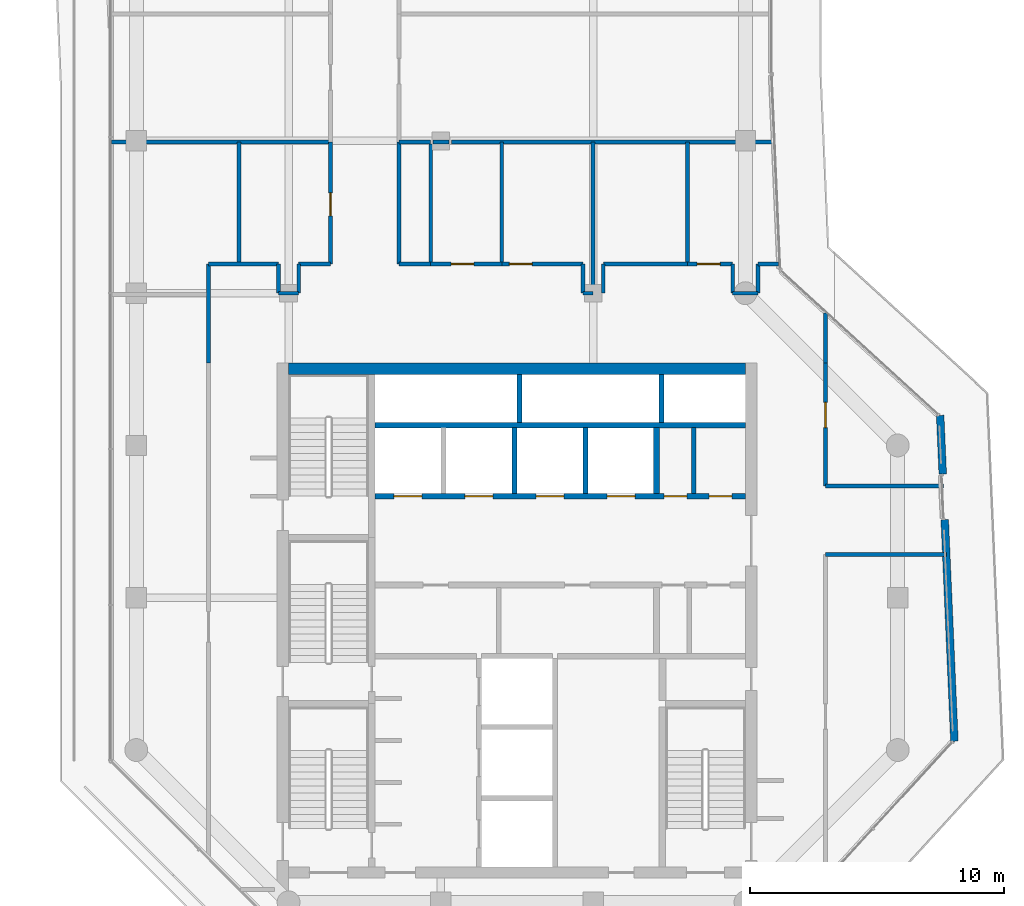
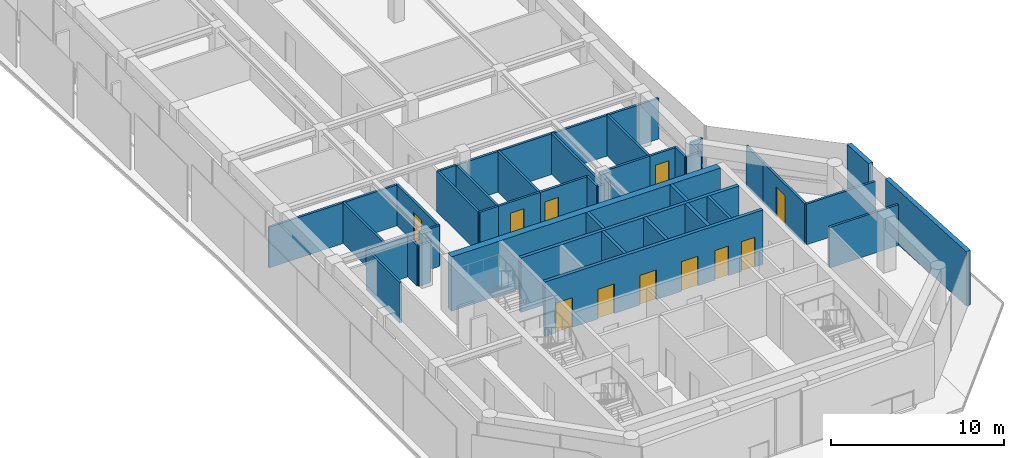
# One storey, part 18 of 21: 44 walls, 11 doors, 11 openings.
"""IFC4 building model written with IfcOpenShell, lengths in metres."""

import ifcopenshell
import ifcopenshell.guid

model = None  # the IFC model being written
_history = None  # IfcOwnerHistory: only IFC2X3 demands one
_inside = {}  # id of a spatial element -> (the spatial element, [elements in it])
_under = {}  # id of a project, library or spatial element -> (it, [spatial elements below it])
_declared = {}  # id of a project -> (the project, [libraries it declares])
_typed = {}  # id of a type object -> (the type object, [elements of that type])
_made_of = {}  # id of a material, layer set ... -> (it, [elements and type objects made of it])


def new_model(schema):
    """Start an empty IFC model of exactly this schema.

    Asked for "IFC4X3", IfcOpenShell would pick the latest addendum, in which some entities
    have other attributes; the version numbers below select the first issue.
    IFC2X3 requires an IfcOwnerHistory on every rooted entity: one is made here for all.
    """
    global model, _history
    if schema == "IFC4X3":
        model = ifcopenshell.file(schema_version=(4, 3, 0, 0))
    else:
        model = ifcopenshell.file(schema=schema)
    _inside.clear()
    _under.clear()
    _declared.clear()
    _typed.clear()
    _made_of.clear()
    _history = None
    if model.schema == "IFC2X3":
        org = make("IfcOrganization", Name="unknown")
        user = make(
            "IfcPersonAndOrganization",
            ThePerson=make("IfcPerson", FamilyName="unknown"),
            TheOrganization=org,
        )
        app = make(
            "IfcApplication",
            ApplicationDeveloper=org,
            Version="unknown",
            ApplicationFullName="unknown",
            ApplicationIdentifier="unknown",
        )
        _history = make(
            "IfcOwnerHistory",
            OwningUser=user,
            OwningApplication=app,
            ChangeAction="ADDED",
            CreationDate=0,
        )
    return model


def make(cls, **values):
    """One entity of the class cls with the attributes given. An attribute that is None is left unset."""
    return model.create_entity(
        cls, **{name: value for name, value in values.items() if value is not None}
    )


def rooted(cls, **values):
    """An entity with a GlobalId (a new one), such as an element, a storey or a relation."""
    return make(cls, GlobalId=ifcopenshell.guid.new(), OwnerHistory=_history, **values)


def si_unit(unit_type, name, prefix=None):
    """IfcSIUnit, for example si_unit("LENGTHUNIT", "METRE", prefix="MILLI")."""
    return make("IfcSIUnit", UnitType=unit_type, Prefix=prefix, Name=name)


def assignment(units):
    """IfcUnitAssignment: the units of a project."""
    return None if units is None else make("IfcUnitAssignment", Units=units)


def point(xyz):
    """IfcCartesianPoint."""
    return None if xyz is None else make("IfcCartesianPoint", Coordinates=xyz)


def direction(xyz):
    """IfcDirection."""
    return None if xyz is None else make("IfcDirection", DirectionRatios=xyz)


def frame(location, z_axis=None, x_axis=None):
    """IfcAxis2Placement3D, a coordinate frame: its origin and axes. An axis left out is left unset."""
    return make(
        "IfcAxis2Placement3D",
        Location=point(location),
        Axis=direction(z_axis),
        RefDirection=direction(x_axis),
    )


def frame_2d(location, x_axis=None):
    """IfcAxis2Placement2D, a coordinate frame in the plane: its origin and x axis."""
    return make(
        "IfcAxis2Placement2D", Location=point(location), RefDirection=direction(x_axis)
    )


def origin():
    """The frame at (0, 0, 0) with its axes left unset."""
    return frame((0.0, 0.0, 0.0))


def place(relative_to, where):
    """IfcLocalPlacement: puts the frame where relative to a parent placement (None: the world)."""
    return make(
        "IfcLocalPlacement", PlacementRelTo=relative_to, RelativePlacement=where
    )


def context(
    kind, dimensions, precision=None, world=None, true_north=None, identifier=None
):
    """IfcGeometricRepresentationContext, for example the 3D "Model" context."""
    return make(
        "IfcGeometricRepresentationContext",
        ContextIdentifier=identifier,
        ContextType=kind,
        CoordinateSpaceDimension=dimensions,
        Precision=precision,
        WorldCoordinateSystem=world,
        TrueNorth=true_north,
    )


def subcontext(parent, identifier, kind, view, scale=None):
    """IfcGeometricRepresentationSubContext, for example "Body" below "Model"."""
    return make(
        "IfcGeometricRepresentationSubContext",
        ContextIdentifier=identifier,
        ContextType=kind,
        ParentContext=parent,
        TargetScale=scale,
        TargetView=view,
    )


def project(units=None, contexts=None):
    """IfcProject with its units and contexts."""
    return rooted(
        "IfcProject",
        Name="project",
        RepresentationContexts=contexts,
        UnitsInContext=assignment(units),
    )


def spatial(cls, under=None, at=None, **own):
    """A site, building, storey or space (cls), placed at a placement, below another one or the project."""
    s = rooted(cls, ObjectPlacement=at, **own)
    if under is not None:
        _under.setdefault(under.id(), (under, []))[1].append(s)
    return s


def profile(cls, at=None, kind="AREA", **sizes):
    """A parametric profile (cls). Its sizes go by their IFC names, for example OverallWidth=200.0."""
    return make(cls, ProfileType=kind, Position=at, **sizes)


def rectangle(**sizes):
    """IfcRectangleProfileDef."""
    return profile("IfcRectangleProfileDef", **sizes)


def extrude(swept, where, along, depth):
    """IfcExtrudedAreaSolid: the profile swept, set in the frame where, extruded along a direction by depth."""
    return make(
        "IfcExtrudedAreaSolid",
        SweptArea=swept,
        Position=where,
        ExtrudedDirection=direction(along),
        Depth=depth,
    )


def shape(context_of_items, identifier, shape_type, items):
    """IfcShapeRepresentation: the items that make up one representation, for example the "Body"."""
    return make(
        "IfcShapeRepresentation",
        ContextOfItems=context_of_items,
        RepresentationIdentifier=identifier,
        RepresentationType=shape_type,
        Items=items,
    )


def material(Name=None, Category=None):
    """IfcMaterial."""
    return make("IfcMaterial", Name=Name, Category=Category)


def layer(
    of_material, thickness, ventilated=None, Name=None, Category=None, Priority=None
):
    """IfcMaterialLayer: one layer of a wall or slab, of a material (None: an air gap)."""
    return make(
        "IfcMaterialLayer",
        Material=of_material,
        LayerThickness=thickness,
        IsVentilated=ventilated,
        Name=Name,
        Category=Category,
        Priority=Priority,
    )


def layer_set(layers, Name=None):
    """IfcMaterialLayerSet."""
    return make("IfcMaterialLayerSet", MaterialLayers=layers, LayerSetName=Name)


def made_of(thing, what):
    """Note that an element or type object is made of a material, layer set ...; save() writes the relation."""
    if what is not None:
        _made_of.setdefault(what.id(), (what, []))[1].append(thing)
    return thing


def type_object(cls, material=None, **own):
    """A type object (cls), such as IfcWallType, which elements share."""
    return made_of(rooted(cls, **own), material)


def element(
    cls,
    number,
    at=None,
    inside=None,
    cuts=None,
    type_object=None,
    material=None,
    context=None,
    identifier="Body",
    shape_type=None,
    held_by="IfcProductDefinitionShape",
    body=None,
    shapes=None,
    **own,
):
    """One element of the class cls, such as IfcWall. Its Tag is "e" and its number.

    at: its placement. inside: the storey or other place that contains it. cuts: it is an
    opening in that element (IfcRelVoidsElement). A single representation is given by context,
    identifier, shape_type and body (its items); several are given by shapes. held_by: the class
    of the entity that holds the representations. save() writes the other relations.
    """
    e = rooted(cls, Tag="e%d" % number, ObjectPlacement=at, **own)
    if body is not None:
        shapes = [shape(context, identifier, shape_type, body)]
    if shapes is not None:
        e.Representation = make(held_by, Representations=shapes)
    if inside is not None:
        _inside.setdefault(inside.id(), (inside, []))[1].append(e)
    if cuts is not None:
        rooted(
            "IfcRelVoidsElement", RelatingBuildingElement=cuts, RelatedOpeningElement=e
        )
    if type_object is not None:
        _typed.setdefault(type_object.id(), (type_object, []))[1].append(e)
    return made_of(e, material)


def fill(opening, filler):
    """IfcRelFillsElement: the door or window that sits in an opening."""
    return rooted(
        "IfcRelFillsElement",
        RelatingOpeningElement=opening,
        RelatedBuildingElement=filler,
    )


def aggregate(whole, parts):
    """IfcRelAggregates: a whole, such as a stair, and the parts it consists of."""
    return rooted("IfcRelAggregates", RelatingObject=whole, RelatedObjects=parts)


def save(model, path):
    """Write the relations noted so far, then the file.

    IfcRelAggregates (storeys below a building ...), IfcRelContainedInSpatialStructure (elements
    in a storey), IfcRelDefinesByType, IfcRelAssociatesMaterial and IfcRelDeclares: one each for
    every whole, place, type object, material and project.
    """
    for whole, parts in _under.values():
        aggregate(whole, parts)
    for where, things in _inside.values():
        rooted(
            "IfcRelContainedInSpatialStructure",
            RelatedElements=things,
            RelatingStructure=where,
        )
    for kind, things in _typed.values():
        rooted("IfcRelDefinesByType", RelatedObjects=things, RelatingType=kind)
    for what, things in _made_of.values():
        rooted("IfcRelAssociatesMaterial", RelatedObjects=things, RelatingMaterial=what)
    for by, libraries in _declared.values():
        rooted("IfcRelDeclares", RelatingContext=by, RelatedDefinitions=libraries)
    model.write(path)


model = new_model("IFC4")

# Units and contexts
model_context = context("Model", 3, precision=1e-05, world=origin(), true_north=direction((0.0, 1.0)))
body_context = subcontext(model_context, "Body", "Model", "MODEL_VIEW")
ifc_project = project(units=[si_unit("LENGTHUNIT", "METRE"), si_unit("AREAUNIT", "SQUARE_METRE"), si_unit("VOLUMEUNIT", "CUBIC_METRE"), si_unit("PLANEANGLEUNIT", "RADIAN"), si_unit("MASSUNIT", "GRAM", prefix="KILO")], contexts=[model_context])

# Site, building, storey
site_placement = place(None, origin())
site = spatial("IfcSite", under=ifc_project, at=site_placement, CompositionType="ELEMENT")
building_placement = place(site_placement, origin())
building = spatial("IfcBuilding", under=site, at=building_placement, Name="Welwitschia Terrace Campus", CompositionType="ELEMENT")
storey_placement = place(building_placement, frame((0.0, 0.0, 218.0)))
storey = spatial("IfcBuildingStorey", under=building, at=storey_placement, Name="L48", CompositionType="ELEMENT", Elevation=218.0)

# Wall
ifc_material_1 = material(Name="Concrete C32/40", Category="concrete")
ifc_layer_1 = layer(ifc_material_1, 0.175048828125)
ifc_layer_set_1 = layer_set([ifc_layer_1], Name="Concrete C32/40")
wall_type_1 = type_object("IfcWallType", Name="Core partition 175 Concrete C32/40", PredefinedType="PARTITIONING", material=ifc_layer_set_1)
wall_1_placement = place(storey_placement, frame((21.9599609375, 20.10009765625, 0.0), z_axis=(0.0, 0.0, 1.0), x_axis=(0.0, 1.0, 0.0)))
element("IfcWall", 1, at=wall_1_placement, inside=storey, type_object=wall_type_1, Name="Core partition", PredefinedType="PARTITIONING", context=body_context, shape_type="SweptSolid", body=[
    extrude(rectangle(XDim=2.599853515625, YDim=0.175048828125, at=frame_2d((1.2998046875, 0.0))), origin(), (0.0, 0.0, 1.0), 3.85009765625),
])

# Wall, openings, doors
ifc_material_2 = material(Name="Concrete C32/40", Category="concrete")
ifc_layer_2 = layer(ifc_material_2, 0.22509765625)
ifc_layer_set_2 = layer_set([ifc_layer_2], Name="Concrete C32/40")
wall_type_2 = type_object("IfcWallType", Name="Core partition 225 Concrete C32/40", PredefinedType="PARTITIONING", material=ifc_layer_set_2)
wall_2_placement = place(storey_placement, frame((24.0, 20.0, 0.0), z_axis=(0.0, 0.0, 1.0), x_axis=(-1.0, 0.0, 0.0)))
wall_2 = element("IfcWall", 2, at=wall_2_placement, inside=storey, type_object=wall_type_2, Name="Shaft wall", PredefinedType="PARTITIONING", context=body_context, shape_type="SweptSolid", body=[
    extrude(rectangle(XDim=14.60009765625, YDim=0.22509765625, at=frame_2d((7.300048828125, 0.0))), origin(), (0.0, 0.0, 1.0), 3.85009765625),
])
opening_1_placement = place(wall_2_placement, frame((12.75, 0.0, 0.0)))
opening_1 = element("IfcOpeningElement", 3, at=opening_1_placement, cuts=wall_2, Name="Opening LD", PredefinedType="OPENING", context=body_context, shape_type="SweptSolid", body=[
    extrude(rectangle(XDim=1.10009765625, YDim=2.10009765625, at=frame_2d((0.550048828125, 1.050048828125))), frame((0.0, 0.12255859375, 0.0), z_axis=(0.0, -1.0, 0.0), x_axis=(1.0, 0.0, 0.0)), (0.0, 0.0, 1.0), 0.2451171875),
])
opening_2_placement = place(wall_2_placement, frame((9.949951171875, 0.0, 0.0)))
opening_2 = element("IfcOpeningElement", 4, at=opening_2_placement, cuts=wall_2, Name="Opening LD", PredefinedType="OPENING", context=body_context, shape_type="SweptSolid", body=[
    extrude(rectangle(XDim=1.10009765625, YDim=2.10009765625, at=frame_2d((0.550048828125, 1.050048828125))), frame((0.0, 0.12255859375, 0.0), z_axis=(0.0, -1.0, 0.0), x_axis=(1.0, 0.0, 0.0)), (0.0, 0.0, 1.0), 0.2451171875),
])
opening_3_placement = place(wall_2_placement, frame((7.14990234375, 0.0, 0.0)))
opening_3 = element("IfcOpeningElement", 5, at=opening_3_placement, cuts=wall_2, Name="Opening LD", PredefinedType="OPENING", context=body_context, shape_type="SweptSolid", body=[
    extrude(rectangle(XDim=1.10009765625, YDim=2.10009765625, at=frame_2d((0.550048828125, 1.050048828125))), frame((0.0, 0.12255859375, 0.0), z_axis=(0.0, -1.0, 0.0), x_axis=(1.0, 0.0, 0.0)), (0.0, 0.0, 1.0), 0.2451171875),
])
opening_4_placement = place(wall_2_placement, frame((4.35009765625, 0.0, 0.0)))
opening_4 = element("IfcOpeningElement", 6, at=opening_4_placement, cuts=wall_2, Name="Opening LD", PredefinedType="OPENING", context=body_context, shape_type="SweptSolid", body=[
    extrude(rectangle(XDim=1.10009765625, YDim=2.10009765625, at=frame_2d((0.550048828125, 1.050048828125))), frame((0.0, 0.12255859375, 0.0), z_axis=(0.0, -1.0, 0.0), x_axis=(1.0, 0.0, 0.0)), (0.0, 0.0, 1.0), 0.2451171875),
])
opening_5_placement = place(wall_2_placement, frame((2.3076171875, 0.0, 0.0)))
opening_5 = element("IfcOpeningElement", 7, at=opening_5_placement, cuts=wall_2, Name="Opening DR09", PredefinedType="OPENING", context=body_context, shape_type="SweptSolid", body=[
    extrude(rectangle(XDim=0.89990234375, YDim=2.10009765625, at=frame_2d((0.449951171875, 1.050048828125))), frame((0.0, 0.12255859375, 0.0), z_axis=(0.0, -1.0, 0.0), x_axis=(1.0, 0.0, 0.0)), (0.0, 0.0, 1.0), 0.2451171875),
])
opening_6_placement = place(wall_2_placement, frame((0.532470703125, 0.0, 0.0)))
opening_6 = element("IfcOpeningElement", 8, at=opening_6_placement, cuts=wall_2, Name="Opening DR09", PredefinedType="OPENING", context=body_context, shape_type="SweptSolid", body=[
    extrude(rectangle(XDim=0.89990234375, YDim=2.10009765625, at=frame_2d((0.449951171875, 1.050048828125))), frame((0.0, 0.12255859375, 0.0), z_axis=(0.0, -1.0, 0.0), x_axis=(1.0, 0.0, 0.0)), (0.0, 0.0, 1.0), 0.2451171875),
])
ifc_material_3 = material(Name="Steel S275", Category="steel")
door_type_1 = type_object("IfcDoorType", Name="Core door DR09", OperationType="SINGLE_SWING_LEFT", PredefinedType="DOOR", material=ifc_material_3)
door_1_placement = place(opening_5_placement, origin())
door_1 = element("IfcDoor", 9, at=door_1_placement, inside=storey, type_object=door_type_1, Name="Door EH1-D", OperationType="SINGLE_SWING_LEFT", OverallHeight=2.10009765625, OverallWidth=0.89990234375, PredefinedType="DOOR", context=body_context, shape_type="SweptSolid", body=[
    extrude(rectangle(XDim=0.89990234375, YDim=2.10009765625, at=frame_2d((0.449951171875, 1.050048828125))), frame((0.0, 0.02490234375, 0.0), z_axis=(0.0, -1.0, 0.0), x_axis=(1.0, 0.0, 0.0)), (0.0, 0.0, 1.0), 0.050048828125),
])
fill(opening_5, door_1)
door_2_placement = place(opening_6_placement, origin())
door_2 = element("IfcDoor", 10, at=door_2_placement, inside=storey, type_object=door_type_1, Name="Door EH2-D", OperationType="SINGLE_SWING_LEFT", OverallHeight=2.10009765625, OverallWidth=0.89990234375, PredefinedType="DOOR", context=body_context, shape_type="SweptSolid", body=[
    extrude(rectangle(XDim=0.89990234375, YDim=2.10009765625, at=frame_2d((0.449951171875, 1.050048828125))), frame((0.0, 0.02490234375, 0.0), z_axis=(0.0, -1.0, 0.0), x_axis=(1.0, 0.0, 0.0)), (0.0, 0.0, 1.0), 0.050048828125),
])
fill(opening_6, door_2)
ifc_material_4 = material(Name="Stainless steel 304", Category="steel")
door_type_2 = type_object("IfcDoorType", Name="Lift landing door", OperationType="DOUBLE_DOOR_SLIDING", PredefinedType="DOOR", material=ifc_material_4)
door_3_placement = place(opening_1_placement, origin())
door_3 = element("IfcDoor", 11, at=door_3_placement, inside=storey, type_object=door_type_2, Name="Landing door HR1", OperationType="DOUBLE_DOOR_SLIDING", OverallHeight=2.10009765625, OverallWidth=1.10009765625, PredefinedType="DOOR", context=body_context, shape_type="SweptSolid", body=[
    extrude(rectangle(XDim=1.10009765625, YDim=2.10009765625, at=frame_2d((0.550048828125, 1.050048828125))), frame((0.0, 0.02490234375, 0.0), z_axis=(0.0, -1.0, 0.0), x_axis=(1.0, 0.0, 0.0)), (0.0, 0.0, 1.0), 0.050048828125),
])
fill(opening_1, door_3)
door_4_placement = place(opening_2_placement, origin())
door_4 = element("IfcDoor", 12, at=door_4_placement, inside=storey, type_object=door_type_2, Name="Landing door HR2", OperationType="DOUBLE_DOOR_SLIDING", OverallHeight=2.10009765625, OverallWidth=1.10009765625, PredefinedType="DOOR", context=body_context, shape_type="SweptSolid", body=[
    extrude(rectangle(XDim=1.10009765625, YDim=2.10009765625, at=frame_2d((0.550048828125, 1.050048828125))), frame((0.0, 0.02490234375, 0.0), z_axis=(0.0, -1.0, 0.0), x_axis=(1.0, 0.0, 0.0)), (0.0, 0.0, 1.0), 0.050048828125),
])
fill(opening_2, door_4)
door_5_placement = place(opening_3_placement, origin())
door_5 = element("IfcDoor", 13, at=door_5_placement, inside=storey, type_object=door_type_2, Name="Landing door HR3", OperationType="DOUBLE_DOOR_SLIDING", OverallHeight=2.10009765625, OverallWidth=1.10009765625, PredefinedType="DOOR", context=body_context, shape_type="SweptSolid", body=[
    extrude(rectangle(XDim=1.10009765625, YDim=2.10009765625, at=frame_2d((0.550048828125, 1.050048828125))), frame((0.0, 0.02490234375, 0.0), z_axis=(0.0, -1.0, 0.0), x_axis=(1.0, 0.0, 0.0)), (0.0, 0.0, 1.0), 0.050048828125),
])
fill(opening_3, door_5)
door_6_placement = place(opening_4_placement, origin())
door_6 = element("IfcDoor", 14, at=door_6_placement, inside=storey, type_object=door_type_2, Name="Landing door HR4", OperationType="DOUBLE_DOOR_SLIDING", OverallHeight=2.10009765625, OverallWidth=1.10009765625, PredefinedType="DOOR", context=body_context, shape_type="SweptSolid", body=[
    extrude(rectangle(XDim=1.10009765625, YDim=2.10009765625, at=frame_2d((0.550048828125, 1.050048828125))), frame((0.0, 0.02490234375, 0.0), z_axis=(0.0, -1.0, 0.0), x_axis=(1.0, 0.0, 0.0)), (0.0, 0.0, 1.0), 0.050048828125),
])
fill(opening_4, door_6)

# Walls
wall_3_placement = place(storey_placement, frame((9.39990234375, 22.800048828125, 0.0), z_axis=(0.0, 0.0, 1.0), x_axis=(1.0, 0.0, 0.0)))
element("IfcWall", 15, at=wall_3_placement, inside=storey, type_object=wall_type_2, Name="Shaft wall", PredefinedType="PARTITIONING", context=body_context, shape_type="SweptSolid", body=[
    extrude(rectangle(XDim=14.60009765625, YDim=0.22509765625, at=frame_2d((7.300048828125, 0.0))), origin(), (0.0, 0.0, 1.0), 3.85009765625),
])
wall_4_placement = place(storey_placement, frame((20.5, 20.10009765625, 0.0), z_axis=(0.0, 0.0, 1.0), x_axis=(0.0, 1.0, 0.0)))
element("IfcWall", 16, at=wall_4_placement, inside=storey, type_object=wall_type_2, Name="Shaft wall", PredefinedType="PARTITIONING", context=body_context, shape_type="SweptSolid", body=[
    extrude(rectangle(XDim=2.599853515625, YDim=0.22509765625, at=frame_2d((1.2998046875, 0.0))), origin(), (0.0, 0.0, 1.0), 3.85009765625),
])
ifc_material_5 = material(Name="Concrete C50/60", Category="concrete")
ifc_layer_3 = layer(ifc_material_5, 0.199951171875)
ifc_layer_set_3 = layer_set([ifc_layer_3], Name="Concrete C50/60")
wall_type_3 = type_object("IfcWallType", Name="Core wall 200 Concrete C50/60", PredefinedType="SHEAR", material=ifc_layer_set_3)
for number, where, z_axis, x_axis, name in (
    (17, (15.10009765625, 22.89990234375, 0.0), (0.0, 0.0, 1.0), (0.0, 1.0, 0.0), "Core wall"),
    (18, (20.699951171875, 22.89990234375, 0.0), (0.0, 0.0, 1.0), (0.0, 1.0, 0.0), "Core wall"),
):
    element("IfcWall", number, at=place(storey_placement, frame(where, z_axis=z_axis, x_axis=x_axis)), inside=storey, type_object=wall_type_3, Name=name, PredefinedType="SHEAR", context=body_context, shape_type="SweptSolid", body=[
        extrude(rectangle(XDim=1.900146484375, YDim=0.199951171875, at=frame_2d((0.9501953125, 0.0))), origin(), (0.0, 0.0, 1.0), 3.85009765625),
    ])
ifc_material_6 = material(Name="Concrete C60/75", Category="concrete")
ifc_layer_4 = layer(ifc_material_6, 0.449951171875)
ifc_layer_set_4 = layer_set([ifc_layer_4], Name="Concrete C60/75")
wall_type_4 = type_object("IfcWallType", Name="Core wall 450 Concrete C60/75", PredefinedType="SHEAR", material=ifc_layer_set_4)
wall_5_placement = place(storey_placement, frame((6.0, 25.02490234375, 0.0), z_axis=(0.0, 0.0, 1.0), x_axis=(1.0, 0.0, 0.0)))
element("IfcWall", 19, at=wall_5_placement, inside=storey, type_object=wall_type_4, Name="Core outer wall", PredefinedType="SHEAR", context=body_context, shape_type="SweptSolid", body=[
    extrude(rectangle(XDim=18.0, YDim=0.449951171875, at=frame_2d((9.0, 0.0))), origin(), (0.0, 0.0, 1.0), 3.85009765625),
])
ifc_material_7 = material(Name="Gypsum board on steel studs", Category="steel")
ifc_layer_5 = layer(ifc_material_7, 0.14990234375)
ifc_layer_set_5 = layer_set([ifc_layer_5], Name="Gypsum board on steel studs")
wall_type_5 = type_object("IfcWallType", Name="Corridor partition 150 EI 30", PredefinedType="PARTITIONING", material=ifc_layer_set_5)
wall_6_placement = place(storey_placement, frame((-0.97998046875, 33.949951171875, 0.0), z_axis=(0.0, 0.0, 1.0), x_axis=(1.0, 0.0, 0.0)))
element("IfcWall", 20, at=wall_6_placement, inside=storey, type_object=wall_type_5, Name="Partition", PredefinedType="PARTITIONING", context=body_context, shape_type="SweptSolid", body=[
    extrude(rectangle(XDim=8.6298828125, YDim=0.14990234375, at=frame_2d((4.31494140625, 0.0))), origin(), (0.0, 0.0, 1.0), 2.8798828125),
])
wall_7_placement = place(storey_placement, frame((2.85009765625, 25.25, 0.0), z_axis=(0.0, 0.0, 1.0), x_axis=(0.0, 1.0, 0.0)))
element("IfcWall", 21, at=wall_7_placement, inside=storey, type_object=wall_type_5, Name="Partition", PredefinedType="PARTITIONING", context=body_context, shape_type="SweptSolid", body=[
    extrude(rectangle(XDim=3.89990234375, YDim=0.14990234375, at=frame_2d((1.949951171875, 0.0))), origin(), (0.0, 0.0, 1.0), 2.8798828125),
])
wall_8_placement = place(storey_placement, frame((2.85009765625, 29.14990234375, 0.0), z_axis=(0.0, 0.0, 1.0), x_axis=(1.0, 0.0, 0.0)))
element("IfcWall", 22, at=wall_8_placement, inside=storey, type_object=wall_type_5, Name="Partition", PredefinedType="PARTITIONING", context=body_context, shape_type="SweptSolid", body=[
    extrude(rectangle(XDim=2.75, YDim=0.14990234375, at=frame_2d((1.375, 0.0))), origin(), (0.0, 0.0, 1.0), 2.8798828125),
])
wall_9_placement = place(storey_placement, frame((4.050048828125, 29.14990234375, 0.0), z_axis=(0.0, 0.0, 1.0), x_axis=(0.0, 1.0, 0.0)))
element("IfcWall", 23, at=wall_9_placement, inside=storey, type_object=wall_type_5, Name="Partition", PredefinedType="PARTITIONING", context=body_context, shape_type="SweptSolid", body=[
    extrude(rectangle(XDim=4.800048828125, YDim=0.14990234375, at=frame_2d((2.39990234375, 0.0))), origin(), (0.0, 0.0, 1.0), 2.8798828125),
])
wall_10_placement = place(storey_placement, frame((5.60009765625, 28.0, 0.0), z_axis=(0.0, 0.0, 1.0), x_axis=(0.0, 1.0, 0.0)))
element("IfcWall", 24, at=wall_10_placement, inside=storey, type_object=wall_type_5, Name="Partition", PredefinedType="PARTITIONING", context=body_context, shape_type="SweptSolid", body=[
    extrude(rectangle(XDim=1.14990234375, YDim=0.14990234375, at=frame_2d((0.574951171875, 0.0))), origin(), (0.0, 0.0, 1.0), 2.8798828125),
])
wall_11_placement = place(storey_placement, frame((5.60009765625, 28.0, 0.0), z_axis=(0.0, 0.0, 1.0), x_axis=(1.0, 0.0, 0.0)))
element("IfcWall", 25, at=wall_11_placement, inside=storey, type_object=wall_type_5, Name="Partition", PredefinedType="PARTITIONING", context=body_context, shape_type="SweptSolid", body=[
    extrude(rectangle(XDim=0.7998046875, YDim=0.14990234375, at=frame_2d((0.39990234375, 0.0))), origin(), (0.0, 0.0, 1.0), 2.8798828125),
])
wall_12_placement = place(storey_placement, frame((6.39990234375, 28.0, 0.0), z_axis=(0.0, 0.0, 1.0), x_axis=(0.0, 1.0, 0.0)))
element("IfcWall", 26, at=wall_12_placement, inside=storey, type_object=wall_type_5, Name="Partition", PredefinedType="PARTITIONING", context=body_context, shape_type="SweptSolid", body=[
    extrude(rectangle(XDim=1.14990234375, YDim=0.14990234375, at=frame_2d((0.574951171875, 0.0))), origin(), (0.0, 0.0, 1.0), 2.8798828125),
])
wall_13_placement = place(storey_placement, frame((6.39990234375, 29.14990234375, 0.0), z_axis=(0.0, 0.0, 1.0), x_axis=(1.0, 0.0, 0.0)))
element("IfcWall", 27, at=wall_13_placement, inside=storey, type_object=wall_type_5, Name="Partition", PredefinedType="PARTITIONING", context=body_context, shape_type="SweptSolid", body=[
    extrude(rectangle(XDim=1.25, YDim=0.14990234375, at=frame_2d((0.625, 0.0))), origin(), (0.0, 0.0, 1.0), 2.8798828125),
])

# Wall, opening, door
wall_14_placement = place(storey_placement, frame((7.64990234375, 29.14990234375, 0.0), z_axis=(0.0, 0.0, 1.0), x_axis=(0.0, 1.0, 0.0)))
wall_14 = element("IfcWall", 28, at=wall_14_placement, inside=storey, type_object=wall_type_5, Name="Partition", PredefinedType="PARTITIONING", context=body_context, shape_type="SweptSolid", body=[
    extrude(rectangle(XDim=4.800048828125, YDim=0.14990234375, at=frame_2d((2.39990234375, 0.0))), origin(), (0.0, 0.0, 1.0), 2.8798828125),
])
opening_7_placement = place(wall_14_placement, frame((1.89990234375, 0.0, 0.0)))
opening_7 = element("IfcOpeningElement", 29, at=opening_7_placement, cuts=wall_14, Name="Opening DI09", PredefinedType="OPENING", context=body_context, shape_type="SweptSolid", body=[
    extrude(rectangle(XDim=0.89990234375, YDim=2.10009765625, at=frame_2d((0.449951171875, 1.050048828125))), frame((0.0, 0.0849609375, 0.0), z_axis=(0.0, -1.0, 0.0), x_axis=(1.0, 0.0, 0.0)), (0.0, 0.0, 1.0), 0.169921875),
])
ifc_material_8 = material(Name="Timber veneered door", Category="wood")
door_type_3 = type_object("IfcDoorType", Name="Interior door DI09", OperationType="NOTDEFINED", PredefinedType="DOOR", material=ifc_material_8)
door_7_placement = place(opening_7_placement, origin())
door_7 = element("IfcDoor", 30, at=door_7_placement, inside=storey, type_object=door_type_3, Name="Door L48 898", OperationType="SINGLE_SWING_LEFT", OverallHeight=2.10009765625, OverallWidth=0.89990234375, PredefinedType="DOOR", context=body_context, shape_type="SweptSolid", body=[
    extrude(rectangle(XDim=0.89990234375, YDim=2.10009765625, at=frame_2d((0.449951171875, 1.050048828125))), frame((0.0, 0.02490234375, 0.0), z_axis=(0.0, -1.0, 0.0), x_axis=(1.0, 0.0, 0.0)), (0.0, 0.0, 1.0), 0.050048828125),
])
fill(opening_7, door_7)

# Walls
wall_15_placement = place(storey_placement, frame((10.35009765625, 29.14990234375, 0.0), z_axis=(0.0, 0.0, 1.0), x_axis=(0.0, 1.0, 0.0)))
element("IfcWall", 31, at=wall_15_placement, inside=storey, type_object=wall_type_5, Name="Partition", PredefinedType="PARTITIONING", context=body_context, shape_type="SweptSolid", body=[
    extrude(rectangle(XDim=4.800048828125, YDim=0.14990234375, at=frame_2d((2.39990234375, 0.0))), origin(), (0.0, 0.0, 1.0), 2.8798828125),
])
wall_16_placement = place(storey_placement, frame((10.35009765625, 29.14990234375, 0.0), z_axis=(0.0, 0.0, 1.0), x_axis=(1.0, 0.0, 0.0)))
element("IfcWall", 32, at=wall_16_placement, inside=storey, type_object=wall_type_5, Name="Partition", PredefinedType="PARTITIONING", context=body_context, shape_type="SweptSolid", body=[
    extrude(rectangle(XDim=1.25, YDim=0.14990234375, at=frame_2d((0.625, 0.0))), origin(), (0.0, 0.0, 1.0), 2.8798828125),
])
wall_17_placement = place(storey_placement, frame((10.35009765625, 33.949951171875, 0.0), z_axis=(0.0, 0.0, 1.0), x_axis=(1.0, 0.0, 0.0)))
element("IfcWall", 33, at=wall_17_placement, inside=storey, type_object=wall_type_5, Name="Partition", PredefinedType="PARTITIONING", context=body_context, shape_type="SweptSolid", body=[
    extrude(rectangle(XDim=1.241943359375, YDim=0.14990234375, at=frame_2d((0.62109375, 0.0))), origin(), (0.0, 0.0, 1.0), 2.8798828125),
])
wall_18_placement = place(storey_placement, frame((11.60009765625, 29.14990234375, 0.0), z_axis=(0.0, 0.0, 1.0), x_axis=(0.0, 1.0, 0.0)))
element("IfcWall", 34, at=wall_18_placement, inside=storey, type_object=wall_type_5, Name="Partition", PredefinedType="PARTITIONING", context=body_context, shape_type="SweptSolid", body=[
    extrude(rectangle(XDim=4.72021484375, YDim=0.14990234375, at=frame_2d((2.360107421875, 0.0))), origin(), (0.0, 0.0, 1.0), 2.8798828125),
])

# Wall, opening, door
wall_19_placement = place(storey_placement, frame((11.60009765625, 29.14990234375, 0.0), z_axis=(0.0, 0.0, 1.0), x_axis=(1.0, 0.0, 0.0)))
wall_19 = element("IfcWall", 35, at=wall_19_placement, inside=storey, type_object=wall_type_5, Name="Partition", PredefinedType="PARTITIONING", context=body_context, shape_type="SweptSolid", body=[
    extrude(rectangle(XDim=2.7998046875, YDim=0.14990234375, at=frame_2d((1.39990234375, 0.0))), origin(), (0.0, 0.0, 1.0), 2.8798828125),
])
opening_8_placement = place(wall_19_placement, frame((0.800048828125, 0.0, 0.0)))
opening_8 = element("IfcOpeningElement", 36, at=opening_8_placement, cuts=wall_19, Name="Opening DI09", PredefinedType="OPENING", context=body_context, shape_type="SweptSolid", body=[
    extrude(rectangle(XDim=0.89990234375, YDim=2.10009765625, at=frame_2d((0.449951171875, 1.050048828125))), frame((0.0, 0.0849609375, 0.0), z_axis=(0.0, -1.0, 0.0), x_axis=(1.0, 0.0, 0.0)), (0.0, 0.0, 1.0), 0.169921875),
])
door_8_placement = place(opening_8_placement, origin())
door_8 = element("IfcDoor", 37, at=door_8_placement, inside=storey, type_object=door_type_3, Name="Door L48 909", OperationType="SINGLE_SWING_RIGHT", OverallHeight=2.10009765625, OverallWidth=0.89990234375, PredefinedType="DOOR", context=body_context, shape_type="SweptSolid", body=[
    extrude(rectangle(XDim=0.89990234375, YDim=2.10009765625, at=frame_2d((0.449951171875, 1.050048828125))), frame((0.0, 0.02490234375, 0.0), z_axis=(0.0, -1.0, 0.0), x_axis=(1.0, 0.0, 0.0)), (0.0, 0.0, 1.0), 0.050048828125),
])
fill(opening_8, door_8)

# Walls
wall_20_placement = place(storey_placement, frame((11.695556640625, 33.949951171875, 0.0), z_axis=(0.0, 0.0, 1.0), x_axis=(1.0, 0.0, 0.0)))
element("IfcWall", 38, at=wall_20_placement, inside=storey, type_object=wall_type_5, Name="Partition", PredefinedType="PARTITIONING", context=body_context, shape_type="SweptSolid", body=[
    extrude(rectangle(XDim=0.620849609375, YDim=0.14990234375, at=frame_2d((0.310546875, 0.0))), origin(), (0.0, 0.0, 1.0), 2.8798828125),
])
wall_21_placement = place(storey_placement, frame((12.419921875, 33.949951171875, 0.0), z_axis=(0.0, 0.0, 1.0), x_axis=(1.0, 0.0, 0.0)))
element("IfcWall", 39, at=wall_21_placement, inside=storey, type_object=wall_type_5, Name="Partition", PredefinedType="PARTITIONING", context=body_context, shape_type="SweptSolid", body=[
    extrude(rectangle(XDim=12.68017578125, YDim=0.14990234375, at=frame_2d((6.340087890625, 0.0))), origin(), (0.0, 0.0, 1.0), 2.8798828125),
])
wall_22_placement = place(storey_placement, frame((14.39990234375, 29.14990234375, 0.0), z_axis=(0.0, 0.0, 1.0), x_axis=(0.0, 1.0, 0.0)))
element("IfcWall", 40, at=wall_22_placement, inside=storey, type_object=wall_type_5, Name="Partition", PredefinedType="PARTITIONING", context=body_context, shape_type="SweptSolid", body=[
    extrude(rectangle(XDim=4.800048828125, YDim=0.14990234375, at=frame_2d((2.39990234375, 0.0))), origin(), (0.0, 0.0, 1.0), 2.8798828125),
])

# Wall, opening, door
wall_23_placement = place(storey_placement, frame((14.39990234375, 29.14990234375, 0.0), z_axis=(0.0, 0.0, 1.0), x_axis=(1.0, 0.0, 0.0)))
wall_23 = element("IfcWall", 41, at=wall_23_placement, inside=storey, type_object=wall_type_5, Name="Partition", PredefinedType="PARTITIONING", context=body_context, shape_type="SweptSolid", body=[
    extrude(rectangle(XDim=3.2001953125, YDim=0.14990234375, at=frame_2d((1.60009765625, 0.0))), origin(), (0.0, 0.0, 1.0), 2.8798828125),
])
opening_9_placement = place(wall_23_placement, frame((0.300048828125, 0.0, 0.0)))
opening_9 = element("IfcOpeningElement", 42, at=opening_9_placement, cuts=wall_23, Name="Opening DI09", PredefinedType="OPENING", context=body_context, shape_type="SweptSolid", body=[
    extrude(rectangle(XDim=0.89990234375, YDim=2.10009765625, at=frame_2d((0.449951171875, 1.050048828125))), frame((0.0, 0.0849609375, 0.0), z_axis=(0.0, -1.0, 0.0), x_axis=(1.0, 0.0, 0.0)), (0.0, 0.0, 1.0), 0.169921875),
])
door_9_placement = place(opening_9_placement, origin())
door_9 = element("IfcDoor", 43, at=door_9_placement, inside=storey, type_object=door_type_3, Name="Door L48 910", OperationType="SINGLE_SWING_LEFT", OverallHeight=2.10009765625, OverallWidth=0.89990234375, PredefinedType="DOOR", context=body_context, shape_type="SweptSolid", body=[
    extrude(rectangle(XDim=0.89990234375, YDim=2.10009765625, at=frame_2d((0.449951171875, 1.050048828125))), frame((0.0, 0.02490234375, 0.0), z_axis=(0.0, -1.0, 0.0), x_axis=(1.0, 0.0, 0.0)), (0.0, 0.0, 1.0), 0.050048828125),
])
fill(opening_9, door_9)

# Walls
wall_24_placement = place(storey_placement, frame((17.60009765625, 28.0, 0.0), z_axis=(0.0, 0.0, 1.0), x_axis=(0.0, 1.0, 0.0)))
element("IfcWall", 44, at=wall_24_placement, inside=storey, type_object=wall_type_5, Name="Partition", PredefinedType="PARTITIONING", context=body_context, shape_type="SweptSolid", body=[
    extrude(rectangle(XDim=1.14990234375, YDim=0.14990234375, at=frame_2d((0.574951171875, 0.0))), origin(), (0.0, 0.0, 1.0), 2.8798828125),
])
wall_25_placement = place(storey_placement, frame((17.60009765625, 28.0, 0.0), z_axis=(0.0, 0.0, 1.0), x_axis=(1.0, 0.0, 0.0)))
element("IfcWall", 45, at=wall_25_placement, inside=storey, type_object=wall_type_5, Name="Partition", PredefinedType="PARTITIONING", context=body_context, shape_type="SweptSolid", body=[
    extrude(rectangle(XDim=0.39990234375, YDim=0.14990234375, at=frame_2d((0.199951171875, 0.0))), origin(), (0.0, 0.0, 1.0), 2.8798828125),
])
wall_26_placement = place(storey_placement, frame((18.0, 28.0, 0.0), z_axis=(0.0, 0.0, 1.0), x_axis=(0.0, 1.0, 0.0)))
element("IfcWall", 46, at=wall_26_placement, inside=storey, type_object=wall_type_5, Name="Partition", PredefinedType="PARTITIONING", context=body_context, shape_type="SweptSolid", body=[
    extrude(rectangle(XDim=5.949951171875, YDim=0.14990234375, at=frame_2d((2.97509765625, 0.0))), origin(), (0.0, 0.0, 1.0), 2.8798828125),
])
wall_27_placement = place(storey_placement, frame((18.39990234375, 28.0, 0.0), z_axis=(0.0, 0.0, 1.0), x_axis=(0.0, 1.0, 0.0)))
element("IfcWall", 47, at=wall_27_placement, inside=storey, type_object=wall_type_5, Name="Partition", PredefinedType="PARTITIONING", context=body_context, shape_type="SweptSolid", body=[
    extrude(rectangle(XDim=1.14990234375, YDim=0.14990234375, at=frame_2d((0.574951171875, 0.0))), origin(), (0.0, 0.0, 1.0), 2.8798828125),
])
wall_28_placement = place(storey_placement, frame((18.39990234375, 29.14990234375, 0.0), z_axis=(0.0, 0.0, 1.0), x_axis=(1.0, 0.0, 0.0)))
element("IfcWall", 48, at=wall_28_placement, inside=storey, type_object=wall_type_5, Name="Partition", PredefinedType="PARTITIONING", context=body_context, shape_type="SweptSolid", body=[
    extrude(rectangle(XDim=3.320068359375, YDim=0.14990234375, at=frame_2d((1.66015625, 0.0))), origin(), (0.0, 0.0, 1.0), 2.8798828125),
])
wall_29_placement = place(storey_placement, frame((21.719970703125, 29.14990234375, 0.0), z_axis=(0.0, 0.0, 1.0), x_axis=(0.0, 1.0, 0.0)))
element("IfcWall", 49, at=wall_29_placement, inside=storey, type_object=wall_type_5, Name="Partition", PredefinedType="PARTITIONING", context=body_context, shape_type="SweptSolid", body=[
    extrude(rectangle(XDim=4.800048828125, YDim=0.14990234375, at=frame_2d((2.39990234375, 0.0))), origin(), (0.0, 0.0, 1.0), 2.8798828125),
])

# Wall, opening, door
wall_30_placement = place(storey_placement, frame((21.719970703125, 29.14990234375, 0.0), z_axis=(0.0, 0.0, 1.0), x_axis=(1.0, 0.0, 0.0)))
wall_30 = element("IfcWall", 50, at=wall_30_placement, inside=storey, type_object=wall_type_5, Name="Partition", PredefinedType="PARTITIONING", context=body_context, shape_type="SweptSolid", body=[
    extrude(rectangle(XDim=1.780029296875, YDim=0.14990234375, at=frame_2d((0.89013671875, 0.0))), origin(), (0.0, 0.0, 1.0), 2.8798828125),
])
opening_10_placement = place(wall_30_placement, frame((0.3798828125, 0.0, 0.0)))
opening_10 = element("IfcOpeningElement", 51, at=opening_10_placement, cuts=wall_30, Name="Opening DI09", PredefinedType="OPENING", context=body_context, shape_type="SweptSolid", body=[
    extrude(rectangle(XDim=0.89990234375, YDim=2.10009765625, at=frame_2d((0.449951171875, 1.050048828125))), frame((0.0, 0.0849609375, 0.0), z_axis=(0.0, -1.0, 0.0), x_axis=(1.0, 0.0, 0.0)), (0.0, 0.0, 1.0), 0.169921875),
])
door_10_placement = place(opening_10_placement, origin())
door_10 = element("IfcDoor", 52, at=door_10_placement, inside=storey, type_object=door_type_3, Name="Door L48 911", OperationType="SINGLE_SWING_RIGHT", OverallHeight=2.10009765625, OverallWidth=0.89990234375, PredefinedType="DOOR", context=body_context, shape_type="SweptSolid", body=[
    extrude(rectangle(XDim=0.89990234375, YDim=2.10009765625, at=frame_2d((0.449951171875, 1.050048828125))), frame((0.0, 0.02490234375, 0.0), z_axis=(0.0, -1.0, 0.0), x_axis=(1.0, 0.0, 0.0)), (0.0, 0.0, 1.0), 0.050048828125),
])
fill(opening_10, door_10)

# Walls
wall_31_placement = place(storey_placement, frame((23.5, 28.0, 0.0), z_axis=(0.0, 0.0, 1.0), x_axis=(0.0, 1.0, 0.0)))
element("IfcWall", 53, at=wall_31_placement, inside=storey, type_object=wall_type_5, Name="Partition", PredefinedType="PARTITIONING", context=body_context, shape_type="SweptSolid", body=[
    extrude(rectangle(XDim=1.14990234375, YDim=0.14990234375, at=frame_2d((0.574951171875, 0.0))), origin(), (0.0, 0.0, 1.0), 2.8798828125),
])
wall_32_placement = place(storey_placement, frame((23.5, 28.0, 0.0), z_axis=(0.0, 0.0, 1.0), x_axis=(1.0, 0.0, 0.0)))
element("IfcWall", 54, at=wall_32_placement, inside=storey, type_object=wall_type_5, Name="Partition", PredefinedType="PARTITIONING", context=body_context, shape_type="SweptSolid", body=[
    extrude(rectangle(XDim=1.0, YDim=0.14990234375, at=frame_2d((0.5, 0.0))), origin(), (0.0, 0.0, 1.0), 2.8798828125),
])
wall_33_placement = place(storey_placement, frame((24.5, 28.0, 0.0), z_axis=(0.0, 0.0, 1.0), x_axis=(0.0, 1.0, 0.0)))
element("IfcWall", 55, at=wall_33_placement, inside=storey, type_object=wall_type_5, Name="Partition", PredefinedType="PARTITIONING", context=body_context, shape_type="SweptSolid", body=[
    extrude(rectangle(XDim=1.14990234375, YDim=0.14990234375, at=frame_2d((0.574951171875, 0.0))), origin(), (0.0, 0.0, 1.0), 2.8798828125),
])
wall_34_placement = place(storey_placement, frame((24.5, 29.14990234375, 0.0), z_axis=(0.0, 0.0, 1.0), x_axis=(1.0, 0.0, 0.0)))
element("IfcWall", 56, at=wall_34_placement, inside=storey, type_object=wall_type_5, Name="Partition", PredefinedType="PARTITIONING", context=body_context, shape_type="SweptSolid", body=[
    extrude(rectangle(XDim=0.79638671875, YDim=0.14990234375, at=frame_2d((0.398193359375, 0.0))), origin(), (0.0, 0.0, 1.0), 2.8798828125),
])
wall_35_placement = place(storey_placement, frame((27.14990234375, 17.699951171875, 0.0), z_axis=(0.0, 0.0, 1.0), x_axis=(1.0, 0.0, 0.0)))
element("IfcWall", 57, at=wall_35_placement, inside=storey, type_object=wall_type_5, Name="Partition", PredefinedType="PARTITIONING", context=body_context, shape_type="SweptSolid", body=[
    extrude(rectangle(XDim=4.772216796875, YDim=0.14990234375, at=frame_2d((2.38623046875, 0.0))), origin(), (0.0, 0.0, 1.0), 2.8798828125),
])
wall_36_placement = place(storey_placement, frame((27.14990234375, 20.39990234375, 0.0), z_axis=(0.0, 0.0, 1.0), x_axis=(1.0, 0.0, 0.0)))
element("IfcWall", 58, at=wall_36_placement, inside=storey, type_object=wall_type_5, Name="Partition", PredefinedType="PARTITIONING", context=body_context, shape_type="SweptSolid", body=[
    extrude(rectangle(XDim=4.654541015625, YDim=0.14990234375, at=frame_2d((2.3271484375, 0.0))), origin(), (0.0, 0.0, 1.0), 2.8798828125),
])

# Wall, opening, door
wall_37_placement = place(storey_placement, frame((27.14990234375, 25.25, 0.0), z_axis=(0.0, 0.0, 1.0), x_axis=(0.0, -1.0, 0.0)))
wall_37 = element("IfcWall", 59, at=wall_37_placement, inside=storey, type_object=wall_type_5, Name="Partition", PredefinedType="PARTITIONING", context=body_context, shape_type="SweptSolid", body=[
    extrude(rectangle(XDim=4.85009765625, YDim=0.14990234375, at=frame_2d((2.425048828125, 0.0))), origin(), (0.0, 0.0, 1.0), 2.8798828125),
])
opening_11_placement = place(wall_37_placement, frame((1.550048828125, 0.0, 0.0)))
opening_11 = element("IfcOpeningElement", 60, at=opening_11_placement, cuts=wall_37, Name="Opening DI10", PredefinedType="OPENING", context=body_context, shape_type="SweptSolid", body=[
    extrude(rectangle(XDim=1.0, YDim=2.10009765625, at=frame_2d((0.5, 1.050048828125))), frame((0.0, 0.0849609375, 0.0), z_axis=(0.0, -1.0, 0.0), x_axis=(1.0, 0.0, 0.0)), (0.0, 0.0, 1.0), 0.169921875),
])
ifc_material_9 = material(Name="Timber veneered door", Category="wood")
door_type_4 = type_object("IfcDoorType", Name="Interior door DI10", OperationType="NOTDEFINED", PredefinedType="DOOR", material=ifc_material_9)
door_11_placement = place(opening_11_placement, origin())
door_11 = element("IfcDoor", 61, at=door_11_placement, inside=storey, type_object=door_type_4, Name="Door L48 913", OperationType="SINGLE_SWING_RIGHT", OverallHeight=2.10009765625, OverallWidth=1.0, PredefinedType="DOOR", context=body_context, shape_type="SweptSolid", body=[
    extrude(rectangle(XDim=1.0, YDim=2.10009765625, at=frame_2d((0.5, 1.050048828125))), frame((0.0, 0.02490234375, 0.0), z_axis=(0.0, -1.0, 0.0), x_axis=(1.0, 0.0, 0.0)), (0.0, 0.0, 1.0), 0.050048828125),
])
fill(opening_11, door_11)

# Walls
wall_38_placement = place(storey_placement, frame((27.14990234375, 25.25, 0.0), z_axis=(0.0, 0.0, 1.0), x_axis=(0.0, 1.0, 0.0)))
element("IfcWall", 62, at=wall_38_placement, inside=storey, type_object=wall_type_5, Name="Partition", PredefinedType="PARTITIONING", context=body_context, shape_type="SweptSolid", body=[
    extrude(rectangle(XDim=1.9599609375, YDim=0.14990234375, at=frame_2d((0.97998046875, 0.0))), origin(), (0.0, 0.0, 1.0), 2.8798828125),
])
ifc_material_10 = material(Name="Concrete C40/50", Category="concrete")
ifc_layer_6 = layer(ifc_material_10, 0.300048828125)
ifc_layer_set_6 = layer_set([ifc_layer_6], Name="Concrete C40/50")
wall_type_6 = type_object("IfcWallType", Name="Mass wall 300", PredefinedType="SOLIDWALL", material=ifc_layer_set_6)
wall_39_placement = place(storey_placement, frame((32.23291015625, 10.34521484375, 0.0), z_axis=(0.0, 0.0, 1.0), x_axis=(-0.043605726563, 0.999048817932, 0.0)))
element("IfcWall", 63, at=wall_39_placement, inside=storey, type_object=wall_type_6, Name="Mass wall L48.3.0", PredefinedType="SOLIDWALL", context=body_context, shape_type="SweptSolid", body=[
    extrude(rectangle(XDim=8.73974609375, YDim=0.300048828125, at=frame_2d((4.369873046875, 0.0))), origin(), (0.0, 0.0, 1.0), 3.85009765625),
])
wall_40_placement = place(storey_placement, frame((31.773193359375, 20.875, 0.0), z_axis=(0.0, 0.0, 1.0), x_axis=(-0.043588366225, 0.999049575512, 0.0)))
element("IfcWall", 64, at=wall_40_placement, inside=storey, type_object=wall_type_6, Name="Mass wall L48.3.1", PredefinedType="SOLIDWALL", context=body_context, shape_type="SweptSolid", body=[
    extrude(rectangle(XDim=2.313232421875, YDim=0.300048828125, at=frame_2d((1.15673828125, 0.0))), origin(), (0.0, 0.0, 1.0), 3.85009765625),
])
ifc_material_11 = material(Name="Concrete C32/40", Category="concrete")
ifc_layer_7 = layer(ifc_material_11, 0.199951171875)
ifc_layer_set_7 = layer_set([ifc_layer_7], Name="Concrete C32/40")
wall_type_7 = type_object("IfcWallType", Name="Shaft wall 200 Concrete C32/40", PredefinedType="SOLIDWALL", material=ifc_layer_set_7)
for number, where, z_axis, x_axis, name in (
    (65, (14.89990234375, 20.10009765625, 0.0), (0.0, 0.0, 1.0), (0.0, 1.0, 0.0), "Shaft wall"),
    (66, (17.699951171875, 20.10009765625, 0.0), (0.0, 0.0, 1.0), (0.0, 1.0, 0.0), "Shaft wall"),
):
    element("IfcWall", number, at=place(storey_placement, frame(where, z_axis=z_axis, x_axis=x_axis)), inside=storey, type_object=wall_type_7, Name=name, PredefinedType="SOLIDWALL", context=body_context, shape_type="SweptSolid", body=[
        extrude(rectangle(XDim=2.599853515625, YDim=0.199951171875, at=frame_2d((1.2998046875, 0.0))), origin(), (0.0, 0.0, 1.0), 3.85009765625),
    ])

save(model, "model.ifc")
